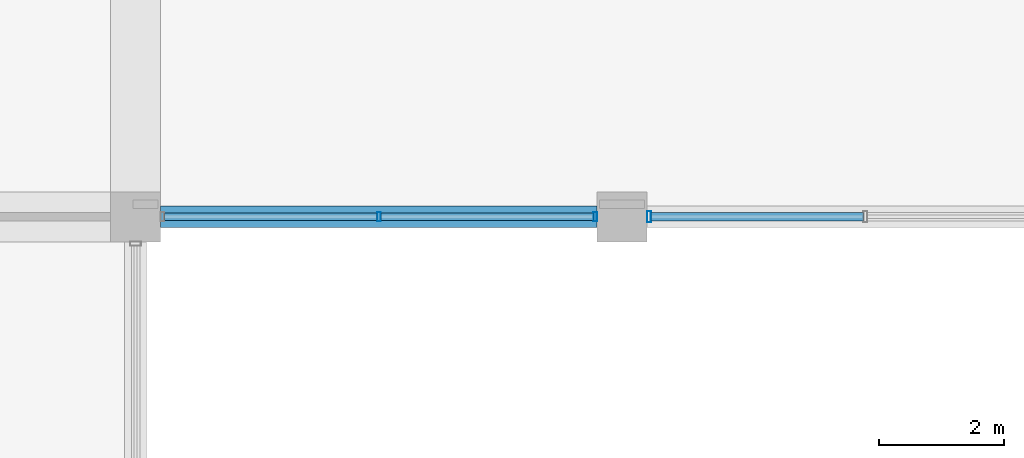
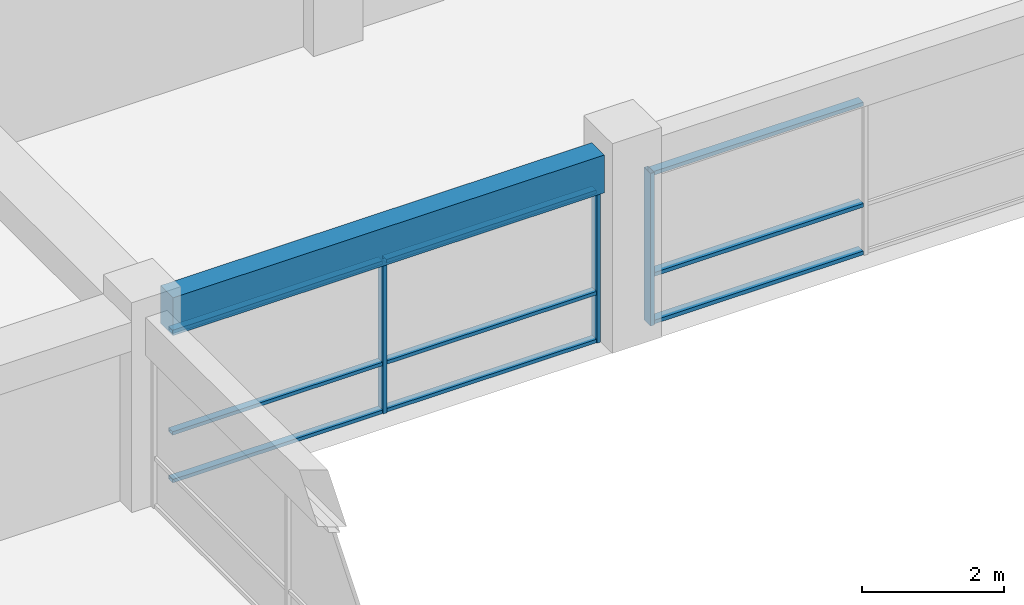
# One storey, part 17 of 50: 12 members, 1 beam, 2 elements without a shape of their own.
"""IFC4 building model written with IfcOpenShell, lengths in metres."""

from ifc_helpers import new_model, si_unit, direction, frame, origin, origin_2d, place, context, subcontext, project, spatial, rectangle, hollow_rectangle, extrude, material, material_profile, profile_set, type_object, element, aggregate, save


model = new_model("IFC4")

# Units and contexts
model_context = context("Model", 3, precision=1e-05, world=origin(), true_north=direction((0.0, 1.0)))
body_context = subcontext(model_context, "Body", "Model", "MODEL_VIEW")
ifc_project = project(units=[si_unit("LENGTHUNIT", "METRE"), si_unit("AREAUNIT", "SQUARE_METRE"), si_unit("VOLUMEUNIT", "CUBIC_METRE"), si_unit("PLANEANGLEUNIT", "RADIAN"), si_unit("MASSUNIT", "GRAM", prefix="KILO"), si_unit("THERMODYNAMICTEMPERATUREUNIT", "KELVIN"), si_unit("POWERUNIT", "WATT")], contexts=[model_context])

# Site, building, storey
site_placement = place(None, origin())
site = spatial("IfcSite", under=ifc_project, at=site_placement, CompositionType="ELEMENT")
building_placement = place(site_placement, origin())
building = spatial("IfcBuilding", under=site, at=building_placement, Name="Srebrne Nadtorze General Hospital", CompositionType="ELEMENT")
storey_placement = place(building_placement, frame((0.0, 0.0, 14.39990234375)))
storey = spatial("IfcBuildingStorey", under=building, at=storey_placement, Name="L03", CompositionType="ELEMENT", Elevation=14.39990234375)

# Curtain wall, members
ifc_material_1 = material(Name="Anodised Aluminium", Category="aluminium")
curtain_wall_type = type_object("IfcCurtainWallType", Name="Unitised curtain wall 7000x2620", PredefinedType="NOTDEFINED", material=ifc_material_1)
curtain_wall_1_placement = place(storey_placement, origin())
curtain_wall_1 = element("IfcCurtainWall", 1, at=curtain_wall_1_placement, inside=storey, type_object=curtain_wall_type, Name="Curtain wall CW-092", PredefinedType="NOTDEFINED")
ifc_material_2 = material(Name="Anodised Aluminium", Category="aluminium")
ifc_material_profile_1 = material_profile(ifc_material_2, hollow_rectangle(XDim=0.06005859375, YDim=0.14990234375, WallThickness=0.00390625, at=origin_2d()), Name="AL-MUL-60x150")
ifc_profile_set_1 = profile_set([ifc_material_profile_1], Name="Anodised Aluminium")
member_type_1 = type_object("IfcMemberType", Name="Curtain mullion 60x150", PredefinedType="MULLION", material=ifc_profile_set_1)
member_1_placement = place(storey_placement, frame((120.89990234375, 25.199951171875, 0.0), z_axis=(0.0, 0.0, 1.0), x_axis=(1.0, 0.0, 0.0)))
member_1 = element("IfcMember", 2, at=member_1_placement, type_object=member_type_1, Name="CW-092 mullion 2", PredefinedType="MULLION", context=body_context, shape_type="SweptSolid", body=[
    extrude(hollow_rectangle(XDim=0.06005859375, YDim=0.14990234375, WallThickness=0.00390625, at=origin_2d()), origin(), (0.0, 0.0, 1.0), 2.6201171875),
])
member_2_placement = place(storey_placement, frame((124.3701171875, 25.199951171875, 0.0), z_axis=(0.0, 0.0, 1.0), x_axis=(1.0, 0.0, 0.0)))
member_2 = element("IfcMember", 3, at=member_2_placement, type_object=member_type_1, Name="CW-092 mullion 3", PredefinedType="MULLION", context=body_context, shape_type="SweptSolid", body=[
    extrude(hollow_rectangle(XDim=0.06005859375, YDim=0.14990234375, WallThickness=0.00390625, at=origin_2d()), origin(), (0.0, 0.0, 1.0), 2.6201171875),
])

# Curtain wall, member
curtain_wall_2_placement = place(storey_placement, origin())
curtain_wall_2 = element("IfcCurtainWall", 4, at=curtain_wall_2_placement, inside=storey, type_object=curtain_wall_type, Name="Curtain wall CW-093", PredefinedType="NOTDEFINED")
ifc_material_3 = material(Name="Anodised Aluminium", Category="aluminium")
ifc_material_profile_2 = material_profile(ifc_material_3, hollow_rectangle(XDim=0.06494140625, YDim=0.179931640625, WallThickness=0.00390625, at=origin_2d()), Name="AL-MUL-65x180")
ifc_profile_set_2 = profile_set([ifc_material_profile_2], Name="Anodised Aluminium")
member_type_2 = type_object("IfcMemberType", Name="Curtain mullion 65x180", PredefinedType="MULLION", material=ifc_profile_set_2)
member_3_placement = place(storey_placement, frame((125.232421875, 25.199951171875, 0.0), z_axis=(0.0, 0.0, 1.0), x_axis=(1.0, 0.0, 0.0)))
member_3 = element("IfcMember", 5, at=member_3_placement, type_object=member_type_2, Name="CW-093 mullion 1", PredefinedType="MULLION", context=body_context, shape_type="SweptSolid", body=[
    extrude(hollow_rectangle(XDim=0.06494140625, YDim=0.179931640625, WallThickness=0.00390625, at=origin_2d()), origin(), (0.0, 0.0, 1.0), 2.6201171875),
])

# Member
ifc_material_4 = material(Name="Anodised Aluminium", Category="aluminium")
ifc_material_profile_3 = material_profile(ifc_material_4, hollow_rectangle(XDim=0.06005859375, YDim=0.1201171875, WallThickness=0.00390625, at=origin_2d()), Name="AL-TRN-60x120")
ifc_profile_set_3 = profile_set([ifc_material_profile_3], Name="Anodised Aluminium")
member_type_3 = type_object("IfcMemberType", Name="Curtain transom 60x120", PredefinedType="USERDEFINED", material=ifc_profile_set_3)
member_4_placement = place(storey_placement, frame((117.4599609375, 25.199951171875, 0.030029296875), z_axis=(1.0, 0.0, 0.0), x_axis=(0.0, 0.0, 1.0)))
member_4 = element("IfcMember", 6, at=member_4_placement, type_object=member_type_3, Name="CW-092 transom 1.1", ObjectType="TRANSOM", PredefinedType="USERDEFINED", context=body_context, shape_type="SweptSolid", body=[
    extrude(hollow_rectangle(XDim=0.06005859375, YDim=0.1201171875, WallThickness=0.00390625, at=origin_2d()), origin(), (0.0, 0.0, 1.0), 3.41015625),
])

member_5_placement = place(storey_placement, frame((117.4599609375, 25.199951171875, 0.85009765625), z_axis=(1.0, 0.0, 0.0), x_axis=(0.0, 0.0, 1.0)))
member_5 = element("IfcMember", 7, at=member_5_placement, type_object=member_type_3, Name="CW-092 transom 1.2", ObjectType="TRANSOM", PredefinedType="USERDEFINED", context=body_context, shape_type="SweptSolid", body=[
    extrude(hollow_rectangle(XDim=0.06005859375, YDim=0.1201171875, WallThickness=0.00390625, at=origin_2d()), origin(), (0.0, 0.0, 1.0), 3.41015625),
])

member_6_placement = place(storey_placement, frame((117.4599609375, 25.199951171875, 2.590087890625), z_axis=(1.0, 0.0, 0.0), x_axis=(0.0, 0.0, 1.0)))
member_6 = element("IfcMember", 8, at=member_6_placement, type_object=member_type_3, Name="CW-092 transom 1.3", ObjectType="TRANSOM", PredefinedType="USERDEFINED", context=body_context, shape_type="SweptSolid", body=[
    extrude(hollow_rectangle(XDim=0.06005859375, YDim=0.1201171875, WallThickness=0.00390625, at=origin_2d()), origin(), (0.0, 0.0, 1.0), 3.41015625),
])

member_7_placement = place(storey_placement, frame((120.929931640625, 25.199951171875, 0.030029296875), z_axis=(1.0, 0.0, 0.0), x_axis=(0.0, 0.0, 1.0)))
member_7 = element("IfcMember", 9, at=member_7_placement, type_object=member_type_3, Name="CW-092 transom 2.1", ObjectType="TRANSOM", PredefinedType="USERDEFINED", context=body_context, shape_type="SweptSolid", body=[
    extrude(hollow_rectangle(XDim=0.06005859375, YDim=0.1201171875, WallThickness=0.00390625, at=origin_2d()), origin(), (0.0, 0.0, 1.0), 3.41015625),
])

member_8_placement = place(storey_placement, frame((120.929931640625, 25.199951171875, 0.85009765625), z_axis=(1.0, 0.0, 0.0), x_axis=(0.0, 0.0, 1.0)))
member_8 = element("IfcMember", 10, at=member_8_placement, type_object=member_type_3, Name="CW-092 transom 2.2", ObjectType="TRANSOM", PredefinedType="USERDEFINED", context=body_context, shape_type="SweptSolid", body=[
    extrude(hollow_rectangle(XDim=0.06005859375, YDim=0.1201171875, WallThickness=0.00390625, at=origin_2d()), origin(), (0.0, 0.0, 1.0), 3.41015625),
])

member_9_placement = place(storey_placement, frame((120.929931640625, 25.199951171875, 2.590087890625), z_axis=(1.0, 0.0, 0.0), x_axis=(0.0, 0.0, 1.0)))
member_9 = element("IfcMember", 11, at=member_9_placement, type_object=member_type_3, Name="CW-092 transom 2.3", ObjectType="TRANSOM", PredefinedType="USERDEFINED", context=body_context, shape_type="SweptSolid", body=[
    extrude(hollow_rectangle(XDim=0.06005859375, YDim=0.1201171875, WallThickness=0.00390625, at=origin_2d()), origin(), (0.0, 0.0, 1.0), 3.41015625),
])

aggregate(curtain_wall_1, [member_1, member_2, member_4, member_5, member_6, member_7, member_8, member_9])

ifc_material_5 = material(Name="Anodised Aluminium", Category="aluminium")
ifc_material_profile_4 = material_profile(ifc_material_5, hollow_rectangle(XDim=0.06494140625, YDim=0.139892578125, WallThickness=0.00390625, at=origin_2d()), Name="AL-TRN-65x140")
ifc_profile_set_4 = profile_set([ifc_material_profile_4], Name="Anodised Aluminium")
member_type_4 = type_object("IfcMemberType", Name="Curtain transom 65x140", PredefinedType="USERDEFINED", material=ifc_profile_set_4)
member_10_placement = place(storey_placement, frame((125.264892578125, 25.199951171875, 0.03271484375), z_axis=(1.0, 0.0, 0.0), x_axis=(0.0, 0.0, 1.0)))
member_10 = element("IfcMember", 12, at=member_10_placement, type_object=member_type_4, Name="CW-093 transom 1.1", ObjectType="TRANSOM", PredefinedType="USERDEFINED", context=body_context, shape_type="SweptSolid", body=[
    extrude(hollow_rectangle(XDim=0.06494140625, YDim=0.139892578125, WallThickness=0.00390625, at=origin_2d()), origin(), (0.0, 0.0, 1.0), 3.402587890625),
])

member_11_placement = place(storey_placement, frame((125.264892578125, 25.199951171875, 0.85009765625), z_axis=(1.0, 0.0, 0.0), x_axis=(0.0, 0.0, 1.0)))
member_11 = element("IfcMember", 13, at=member_11_placement, type_object=member_type_4, Name="CW-093 transom 1.2", ObjectType="TRANSOM", PredefinedType="USERDEFINED", context=body_context, shape_type="SweptSolid", body=[
    extrude(hollow_rectangle(XDim=0.06494140625, YDim=0.139892578125, WallThickness=0.00390625, at=origin_2d()), origin(), (0.0, 0.0, 1.0), 3.402587890625),
])

member_12_placement = place(storey_placement, frame((125.264892578125, 25.199951171875, 2.587646484375), z_axis=(1.0, 0.0, 0.0), x_axis=(0.0, 0.0, 1.0)))
member_12 = element("IfcMember", 14, at=member_12_placement, type_object=member_type_4, Name="CW-093 transom 1.3", ObjectType="TRANSOM", PredefinedType="USERDEFINED", context=body_context, shape_type="SweptSolid", body=[
    extrude(hollow_rectangle(XDim=0.06494140625, YDim=0.139892578125, WallThickness=0.00390625, at=origin_2d()), origin(), (0.0, 0.0, 1.0), 3.402587890625),
])

aggregate(curtain_wall_2, [member_3, member_10, member_11, member_12])

# Beam
ifc_material_6 = material(Name="Concrete C35/45", Category="concrete")
ifc_material_profile_5 = material_profile(ifc_material_6, rectangle(XDim=0.35009765625, YDim=0.64990234375, at=origin_2d()), Name="RC-BM-350x650")
ifc_profile_set_5 = profile_set([ifc_material_profile_5], Name="Concrete C35/45")
beam_type = type_object("IfcBeamType", Name="Edge beam RC 350x650", PredefinedType="BEAM", material=ifc_profile_set_5)
beam_placement = place(storey_placement, frame((117.39990234375, 25.199951171875, 2.945068359375), z_axis=(1.0, 0.0, 0.0), x_axis=(0.0, 1.0, 0.0)))
element("IfcBeam", 15, at=beam_placement, inside=storey, type_object=beam_type, Name="Beam BM-L03-X-0737", PredefinedType="BEAM", context=body_context, shape_type="SweptSolid", body=[
    extrude(rectangle(XDim=0.35009765625, YDim=0.64990234375, at=origin_2d()), origin(), (0.0, 0.0, 1.0), 7.0),
])

save(model, "model.ifc")
